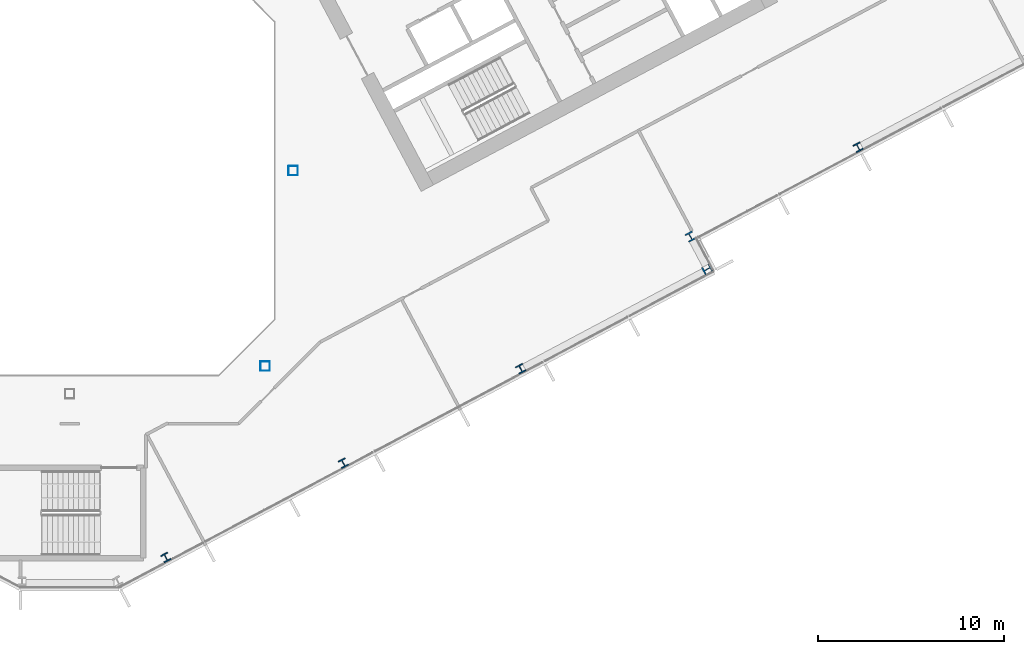
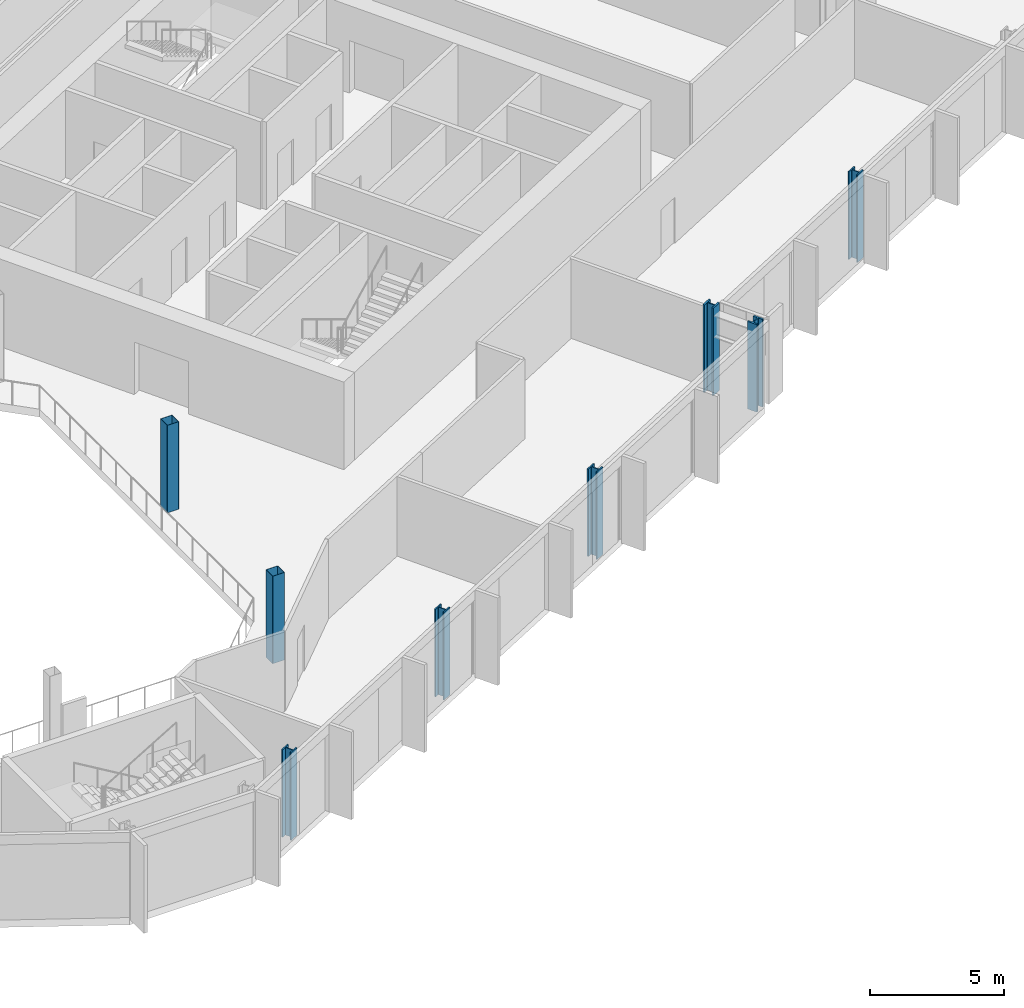
# One storey, part 5 of 28: 8 columns.
"""IFC4 building model written with IfcOpenShell, lengths in metres."""

from ifc_helpers import new_model, si_unit, direction, frame, origin, origin_2d, place, context, subcontext, project, spatial, hollow_rectangle, i_section, extrude, material, material_profile, profile_set, type_object, element, save


model = new_model("IFC4")

# Units and contexts
model_context = context("Model", 3, precision=1e-05, world=origin(), true_north=direction((0.0, 1.0)))
body_context = subcontext(model_context, "Body", "Model", "MODEL_VIEW")
ifc_project = project(units=[si_unit("LENGTHUNIT", "METRE"), si_unit("AREAUNIT", "SQUARE_METRE"), si_unit("VOLUMEUNIT", "CUBIC_METRE"), si_unit("PLANEANGLEUNIT", "RADIAN"), si_unit("MASSUNIT", "GRAM", prefix="KILO")], contexts=[model_context])

# Site, building, storey
site_placement = place(None, origin())
site = spatial("IfcSite", under=ifc_project, at=site_placement, CompositionType="ELEMENT")
building_placement = place(site_placement, origin())
building = spatial("IfcBuilding", under=site, at=building_placement, Name="Cormorant Relay Tower", CompositionType="ELEMENT")
storey_placement = place(building_placement, frame((0.0, 0.0, 162.199951171875)))
storey = spatial("IfcBuildingStorey", under=building, at=storey_placement, Name="L34", CompositionType="ELEMENT", Elevation=162.199951171875)

# Columns
ifc_material_1 = material(Name="Steel ASTM A500 Grade C (Fy 345 MPa)", Category="steel")
ifc_material_profile_1 = material_profile(ifc_material_1, hollow_rectangle(XDim=0.508056640625, YDim=0.508056640625, WallThickness=0.01171875, InnerFilletRadius=0.005859375, OuterFilletRadius=0.017822265625, at=origin_2d()), Name="HSS508x508x12")
ifc_profile_set_1 = profile_set([ifc_material_profile_1], Name="Steel ASTM A500 Grade C (Fy 345 MPa)")
column_type_1 = type_object("IfcColumnType", Name="Column HSS508x508x12", PredefinedType="COLUMN", material=ifc_profile_set_1)
for number, where, z_axis, x_axis, name in (
    (1, (10.5, -10.5, 0.0), (0.0, 0.0, 1.0), (1.0, 0.0, 0.0), "Column L34-010"),
    (2, (12.0, 0.0, 0.0), (0.0, 0.0, 1.0), (1.0, 0.0, 0.0), "Column L34-016"),
):
    element("IfcColumn", number, at=place(storey_placement, frame(where, z_axis=z_axis, x_axis=x_axis)), inside=storey, type_object=column_type_1, Name=name, PredefinedType="COLUMN", context=body_context, shape_type="SweptSolid", body=[
        extrude(hollow_rectangle(XDim=0.508056640625, YDim=0.508056640625, WallThickness=0.01171875, InnerFilletRadius=0.005859375, OuterFilletRadius=0.017822265625, at=origin_2d()), origin(), (0.0, 0.0, 1.0), 4.0),
    ])
ifc_material_2 = material(Name="Steel ASTM A992 (Fy 345 MPa)", Category="steel")
ifc_material_profile_2 = material_profile(ifc_material_2, i_section(OverallWidth=0.41162109375, OverallDepth=0.434326171875, WebThickness=0.035888671875, FlangeThickness=0.057373046875, FilletRadius=0.01513671875, at=origin_2d()), Name="W360x463")
ifc_profile_set_2 = profile_set([ifc_material_profile_2], Name="Steel ASTM A992 (Fy 345 MPa)")
column_type_2 = type_object("IfcColumnType", Name="Column W360x463", PredefinedType="COLUMN", material=ifc_profile_set_2)
for number, where, z_axis, x_axis, name in (
    (3, (5.1640625, -20.7890625, 0.0), (0.0, 0.0, 1.0), (0.882947592859, 0.469471562786, 0.0), "Column L34-003"),
    (4, (14.699951171875, -15.718994140625, 0.0), (0.0, 0.0, 1.0), (0.882947592859, 0.469471562786, 0.0), "Column L34-005"),
    (5, (24.236083984375, -10.64794921875, 0.0), (0.0, 0.0, 1.0), (0.882947592859, 0.469471562786, 0.0), "Column L34-008"),
    (6, (42.368896484375, 1.258056640625, 0.0), (0.0, 0.0, 1.0), (0.882947592859, 0.469471562786, 0.0), "Column L34-017"),
):
    element("IfcColumn", number, at=place(storey_placement, frame(where, z_axis=z_axis, x_axis=x_axis)), inside=storey, type_object=column_type_2, Name=name, PredefinedType="COLUMN", context=body_context, shape_type="SweptSolid", body=[
        extrude(i_section(OverallWidth=0.41162109375, OverallDepth=0.434326171875, WebThickness=0.035888671875, FlangeThickness=0.057373046875, FilletRadius=0.01513671875, at=origin_2d()), origin(), (0.0, 0.0, 1.0), 4.0),
    ])
ifc_material_3 = material(Name="Steel ASTM A992 (Fy 345 MPa)", Category="steel")
ifc_material_profile_3 = material_profile(ifc_material_3, i_section(OverallWidth=0.42431640625, OverallDepth=0.47509765625, WebThickness=0.0478515625, FlangeThickness=0.0771484375, FilletRadius=0.014892578125, at=origin_2d()), Name="W360x634")
ifc_profile_set_3 = profile_set([ifc_material_profile_3], Name="Steel ASTM A992 (Fy 345 MPa)")
column_type_3 = type_object("IfcColumnType", Name="Column W360x634", PredefinedType="COLUMN", material=ifc_profile_set_3)
for number, where, z_axis, x_axis, name in (
    (7, (34.256103515625, -5.297119140625, 0.0), (0.0, 0.0, 1.0), (-0.469471562786, 0.882947592859, 0.0), "Column L34-012"),
    (8, (33.35595703125, -3.54296875, 0.0), (0.0, 0.0, 1.0), (0.882947592859, 0.469471562786, 0.0), "Column L34-014"),
):
    element("IfcColumn", number, at=place(storey_placement, frame(where, z_axis=z_axis, x_axis=x_axis)), inside=storey, type_object=column_type_3, Name=name, PredefinedType="COLUMN", context=body_context, shape_type="SweptSolid", body=[
        extrude(i_section(OverallWidth=0.42431640625, OverallDepth=0.47509765625, WebThickness=0.0478515625, FlangeThickness=0.0771484375, FilletRadius=0.014892578125, at=origin_2d()), origin(), (0.0, 0.0, 1.0), 4.0),
    ])

save(model, "model.ifc")
